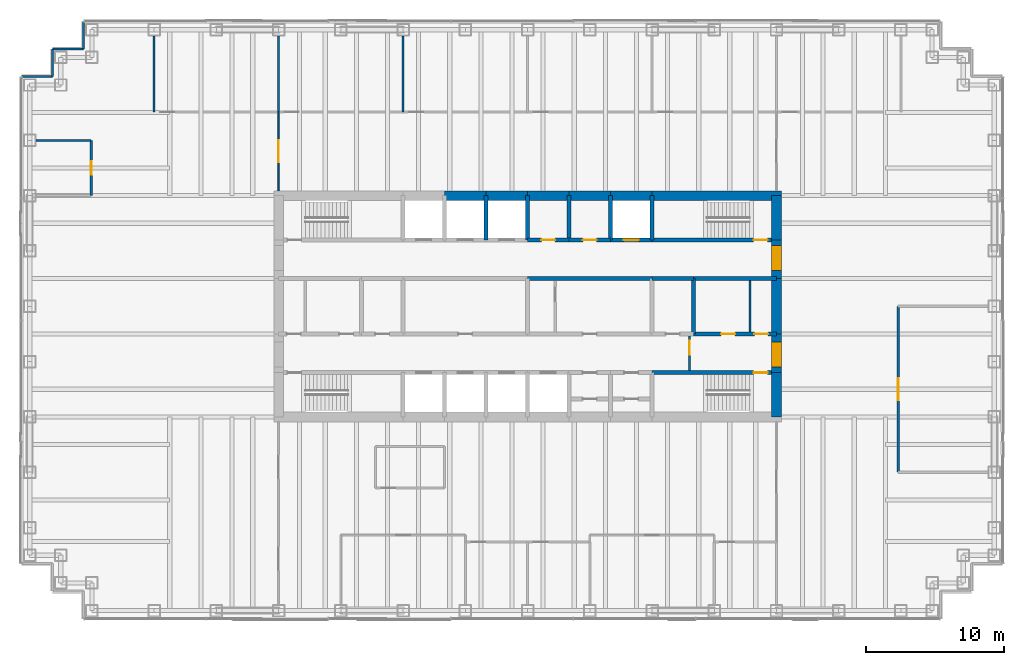
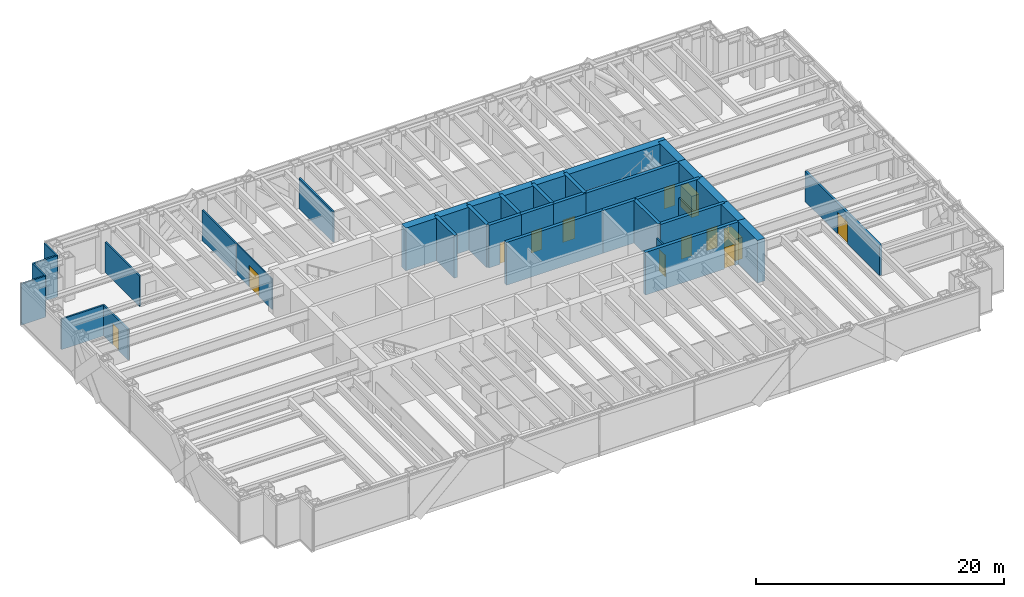
# One storey, part 15 of 17: 39 walls, 13 doors, 13 openings.
"""IFC4 building model written with IfcOpenShell, lengths in metres."""

from ifc_helpers import new_model, si_unit, direction, frame, frame_2d, origin, place, context, subcontext, project, spatial, rectangle, extrude, material, layer, layer_set, type_object, element, fill, save


model = new_model("IFC4")

# Units and contexts
model_context = context("Model", 3, precision=1e-05, world=origin(), true_north=direction((0.0, 1.0)))
body_context = subcontext(model_context, "Body", "Model", "MODEL_VIEW")
ifc_project = project(units=[si_unit("LENGTHUNIT", "METRE"), si_unit("AREAUNIT", "SQUARE_METRE"), si_unit("VOLUMEUNIT", "CUBIC_METRE"), si_unit("PLANEANGLEUNIT", "RADIAN"), si_unit("MASSUNIT", "GRAM", prefix="KILO")], contexts=[model_context])

# Site, building, storey
site_placement = place(None, origin())
site = spatial("IfcSite", under=ifc_project, at=site_placement, CompositionType="ELEMENT")
building_placement = place(site_placement, origin())
building = spatial("IfcBuilding", under=site, at=building_placement, Name="Rheinbord Bourse Tower", CompositionType="ELEMENT")
storey_placement = place(building_placement, frame((0.0, 0.0, 283.699951171875)))
storey = spatial("IfcBuildingStorey", under=building, at=storey_placement, Name="L64", CompositionType="ELEMENT", Elevation=283.699951171875)

# Wall, opening, door
ifc_material_1 = material(Name="Acoustic gypsum board partition", Category="gypsum board")
ifc_layer_1 = layer(ifc_material_1, 0.199951171875)
ifc_layer_set_1 = layer_set([ifc_layer_1], Name="ACOUSTIC PARTITION 200")
wall_type_1 = type_object("IfcWallType", Name="ACOUSTIC PARTITION 200", PredefinedType="PARTITIONING", material=ifc_layer_set_1)
wall_1_placement = place(storey_placement, frame((62.800048828125, 12.0, 0.0), z_axis=(0.0, 0.0, 1.0), x_axis=(0.0, 1.0, 0.0)))
wall_1 = element("IfcWall", 1, at=wall_1_placement, inside=storey, type_object=wall_type_1, Name="Partition L64-34", PredefinedType="PARTITIONING", context=body_context, shape_type="SweptSolid", body=[
    extrude(rectangle(XDim=12.0, YDim=0.199951171875, at=frame_2d((6.0, 0.0))), origin(), (0.0, 0.0, 1.0), 3.0),
])
opening_1_placement = place(wall_1_placement, frame((5.199951171875, 0.0, 0.0)))
opening_1 = element("IfcOpeningElement", 2, at=opening_1_placement, cuts=wall_1, Name="Opening 64D07", PredefinedType="OPENING", context=body_context, shape_type="SweptSolid", body=[
    extrude(rectangle(XDim=1.60009765625, YDim=2.10009765625, at=frame_2d((0.800048828125, 1.050048828125))), frame((0.0, 0.10986328125, 0.0), z_axis=(0.0, -1.0, 0.0), x_axis=(1.0, 0.0, 0.0)), (0.0, 0.0, 1.0), 0.219970703125),
])
ifc_material_2 = material(Name="Timber door", Category="wood")
door_type_1 = type_object("IfcDoorType", Name="DOUBLE ROOM DOOR 1600", OperationType="DOUBLE_DOOR_DOUBLE_SWING", PredefinedType="DOOR", material=ifc_material_2)
door_1_placement = place(opening_1_placement, origin())
door_1 = element("IfcDoor", 3, at=door_1_placement, inside=storey, type_object=door_type_1, Name="Conference room door L64", OperationType="SINGLE_SWING_LEFT", OverallHeight=2.10009765625, OverallWidth=1.60009765625, PredefinedType="DOOR", context=body_context, shape_type="SweptSolid", body=[
    extrude(rectangle(XDim=1.60009765625, YDim=2.10009765625, at=frame_2d((0.800048828125, 1.050048828125))), frame((0.0, 0.02490234375, 0.0), z_axis=(0.0, -1.0, 0.0), x_axis=(1.0, 0.0, 0.0)), (0.0, 0.0, 1.0), 0.050048828125),
])
fill(opening_1, door_1)

ifc_material_3 = material(Name="Concrete C50/60", Category="concrete")
ifc_layer_2 = layer(ifc_material_3, 0.300048828125)
ifc_layer_set_2 = layer_set([ifc_layer_2], Name="CORE INNER WALL 300")
wall_type_2 = type_object("IfcWallType", Name="CORE INNER WALL 300", PredefinedType="SOLIDWALL", material=ifc_layer_set_2)
wall_2_placement = place(storey_placement, frame((45.0, 19.199951171875, 0.0), z_axis=(0.0, 0.0, 1.0), x_axis=(1.0, 0.0, 0.0)))
wall_2 = element("IfcWall", 4, at=wall_2_placement, inside=storey, type_object=wall_type_2, Name="Core wall A8 L64", PredefinedType="SOLIDWALL", context=body_context, shape_type="SweptSolid", body=[
    extrude(rectangle(XDim=9.0, YDim=0.300048828125, at=frame_2d((4.5, 0.0))), origin(), (0.0, 0.0, 1.0), 4.199951171875),
])
opening_2_placement = place(wall_2_placement, frame((7.35009765625, 0.0, 0.0)))
opening_2 = element("IfcOpeningElement", 5, at=opening_2_placement, cuts=wall_2, Name="Opening 6430", PredefinedType="OPENING", context=body_context, shape_type="SweptSolid", body=[
    extrude(rectangle(XDim=1.0, YDim=2.10009765625, at=frame_2d((0.5, 1.050048828125))), frame((0.0, 0.159912109375, 0.0), z_axis=(0.0, -1.0, 0.0), x_axis=(1.0, 0.0, 0.0)), (0.0, 0.0, 1.0), 0.320068359375),
])
ifc_material_4 = material(Name="Steel door", Category="steel")
door_type_2 = type_object("IfcDoorType", Name="DOOR 1000 EI30", OperationType="SINGLE_SWING_LEFT", PredefinedType="DOOR", material=ifc_material_4)
door_2_placement = place(opening_2_placement, origin())
door_2 = element("IfcDoor", 6, at=door_2_placement, inside=storey, type_object=door_type_2, Name="Stair door ST3 L64", OperationType="SINGLE_SWING_RIGHT", OverallHeight=2.10009765625, OverallWidth=1.0, PredefinedType="DOOR", context=body_context, shape_type="SweptSolid", body=[
    extrude(rectangle(XDim=1.0, YDim=2.10009765625, at=frame_2d((0.5, 1.050048828125))), frame((0.0, 0.02490234375, 0.0), z_axis=(0.0, -1.0, 0.0), x_axis=(1.0, 0.0, 0.0)), (0.0, 0.0, 1.0), 0.050048828125),
])
fill(opening_2, door_2)

wall_3_placement = place(storey_placement, frame((36.0, 28.800048828125, 0.0), z_axis=(0.0, 0.0, 1.0), x_axis=(1.0, 0.0, 0.0)))
wall_3 = element("IfcWall", 7, at=wall_3_placement, inside=storey, type_object=wall_type_2, Name="Core wall B5 L64", PredefinedType="SOLIDWALL", context=body_context, shape_type="SweptSolid", body=[
    extrude(rectangle(XDim=3.0, YDim=0.300048828125, at=frame_2d((1.5, 0.0))), origin(), (0.0, 0.0, 1.0), 4.199951171875),
])
opening_3_placement = place(wall_3_placement, frame((1.0, 0.0, 0.0)))
opening_3 = element("IfcOpeningElement", 8, at=opening_3_placement, cuts=wall_3, Name="Opening 64R10", PredefinedType="OPENING", context=body_context, shape_type="SweptSolid", body=[
    extrude(rectangle(XDim=1.0, YDim=2.10009765625, at=frame_2d((0.5, 1.050048828125))), frame((0.0, 0.159912109375, 0.0), z_axis=(0.0, -1.0, 0.0), x_axis=(1.0, 0.0, 0.0)), (0.0, 0.0, 1.0), 0.320068359375),
])
door_3_placement = place(opening_3_placement, origin())
door_3 = element("IfcDoor", 9, at=door_3_placement, inside=storey, type_object=door_type_2, Name="Pantry door L64", OperationType="SINGLE_SWING_LEFT", OverallHeight=2.10009765625, OverallWidth=1.0, PredefinedType="DOOR", context=body_context, shape_type="SweptSolid", body=[
    extrude(rectangle(XDim=1.0, YDim=2.10009765625, at=frame_2d((0.5, 1.050048828125))), frame((0.0, 0.02490234375, 0.0), z_axis=(0.0, -1.0, 0.0), x_axis=(1.0, 0.0, 0.0)), (0.0, 0.0, 1.0), 0.050048828125),
])
fill(opening_3, door_3)

wall_4_placement = place(storey_placement, frame((39.0, 28.800048828125, 0.0), z_axis=(0.0, 0.0, 1.0), x_axis=(1.0, 0.0, 0.0)))
wall_4 = element("IfcWall", 10, at=wall_4_placement, inside=storey, type_object=wall_type_2, Name="Core wall B6 L64", PredefinedType="SOLIDWALL", context=body_context, shape_type="SweptSolid", body=[
    extrude(rectangle(XDim=3.0, YDim=0.300048828125, at=frame_2d((1.5, 0.0))), origin(), (0.0, 0.0, 1.0), 4.199951171875),
])
opening_4_placement = place(wall_4_placement, frame((1.0, 0.0, 0.0)))
opening_4 = element("IfcOpeningElement", 11, at=opening_4_placement, cuts=wall_4, Name="Opening 64R11", PredefinedType="OPENING", context=body_context, shape_type="SweptSolid", body=[
    extrude(rectangle(XDim=1.0, YDim=2.10009765625, at=frame_2d((0.5, 1.050048828125))), frame((0.0, 0.159912109375, 0.0), z_axis=(0.0, -1.0, 0.0), x_axis=(1.0, 0.0, 0.0)), (0.0, 0.0, 1.0), 0.320068359375),
])
door_4_placement = place(opening_4_placement, origin())
door_4 = element("IfcDoor", 12, at=door_4_placement, inside=storey, type_object=door_type_2, Name="Archive store door L64", OperationType="SINGLE_SWING_LEFT", OverallHeight=2.10009765625, OverallWidth=1.0, PredefinedType="DOOR", context=body_context, shape_type="SweptSolid", body=[
    extrude(rectangle(XDim=1.0, YDim=2.10009765625, at=frame_2d((0.5, 1.050048828125))), frame((0.0, 0.02490234375, 0.0), z_axis=(0.0, -1.0, 0.0), x_axis=(1.0, 0.0, 0.0)), (0.0, 0.0, 1.0), 0.050048828125),
])
fill(opening_4, door_4)

wall_5_placement = place(storey_placement, frame((42.0, 28.800048828125, 0.0), z_axis=(0.0, 0.0, 1.0), x_axis=(1.0, 0.0, 0.0)))
wall_5 = element("IfcWall", 13, at=wall_5_placement, inside=storey, type_object=wall_type_2, Name="Core wall B7 L64", PredefinedType="SOLIDWALL", context=body_context, shape_type="SweptSolid", body=[
    extrude(rectangle(XDim=3.0, YDim=0.300048828125, at=frame_2d((1.5, 0.0))), origin(), (0.0, 0.0, 1.0), 4.199951171875),
])
opening_5_placement = place(wall_5_placement, frame((0.949951171875, 0.0, 0.0)))
opening_5 = element("IfcOpeningElement", 14, at=opening_5_placement, cuts=wall_5, Name="Opening FL2", PredefinedType="OPENING", context=body_context, shape_type="SweptSolid", body=[
    extrude(rectangle(XDim=1.10009765625, YDim=2.199951171875, at=frame_2d((0.550048828125, 1.10009765625))), frame((0.0, 0.159912109375, 0.0), z_axis=(0.0, -1.0, 0.0), x_axis=(1.0, 0.0, 0.0)), (0.0, 0.0, 1.0), 0.320068359375),
])
ifc_material_5 = material(Name="Steel landing door", Category="steel")
door_type_3 = type_object("IfcDoorType", Name="LIFT LANDING DOOR 1100", OperationType="DOUBLE_DOOR_SLIDING", PredefinedType="USERDEFINED", material=ifc_material_5)
door_5_placement = place(opening_5_placement, origin())
door_5 = element("IfcDoor", 15, at=door_5_placement, inside=storey, type_object=door_type_3, Name="Lift landing door FL2 L64", ObjectType="LIFT LANDING DOOR", OperationType="DOUBLE_DOOR_SLIDING", OverallHeight=2.199951171875, OverallWidth=1.10009765625, PredefinedType="USERDEFINED", context=body_context, shape_type="SweptSolid", body=[
    extrude(rectangle(XDim=1.10009765625, YDim=2.199951171875, at=frame_2d((0.550048828125, 1.10009765625))), frame((0.0, 0.02490234375, 0.0), z_axis=(0.0, -1.0, 0.0), x_axis=(1.0, 0.0, 0.0)), (0.0, 0.0, 1.0), 0.050048828125),
])
fill(opening_5, door_5)

wall_6_placement = place(storey_placement, frame((45.0, 28.800048828125, 0.0), z_axis=(0.0, 0.0, 1.0), x_axis=(1.0, 0.0, 0.0)))
wall_6 = element("IfcWall", 16, at=wall_6_placement, inside=storey, type_object=wall_type_2, Name="Core wall B8 L64", PredefinedType="SOLIDWALL", context=body_context, shape_type="SweptSolid", body=[
    extrude(rectangle(XDim=9.0, YDim=0.300048828125, at=frame_2d((4.5, 0.0))), origin(), (0.0, 0.0, 1.0), 4.199951171875),
])
opening_6_placement = place(wall_6_placement, frame((7.35009765625, 0.0, 0.0)))
opening_6 = element("IfcOpeningElement", 17, at=opening_6_placement, cuts=wall_6, Name="Opening 6440", PredefinedType="OPENING", context=body_context, shape_type="SweptSolid", body=[
    extrude(rectangle(XDim=1.0, YDim=2.10009765625, at=frame_2d((0.5, 1.050048828125))), frame((0.0, 0.159912109375, 0.0), z_axis=(0.0, -1.0, 0.0), x_axis=(1.0, 0.0, 0.0)), (0.0, 0.0, 1.0), 0.320068359375),
])
door_6_placement = place(opening_6_placement, origin())
door_6 = element("IfcDoor", 18, at=door_6_placement, inside=storey, type_object=door_type_2, Name="Stair door ST4 L64", OperationType="SINGLE_SWING_RIGHT", OverallHeight=2.10009765625, OverallWidth=1.0, PredefinedType="DOOR", context=body_context, shape_type="SweptSolid", body=[
    extrude(rectangle(XDim=1.0, YDim=2.10009765625, at=frame_2d((0.5, 1.050048828125))), frame((0.0, 0.02490234375, 0.0), z_axis=(0.0, -1.0, 0.0), x_axis=(1.0, 0.0, 0.0)), (0.0, 0.0, 1.0), 0.050048828125),
])
fill(opening_6, door_6)

# Wall, openings, doors
wall_7_placement = place(storey_placement, frame((48.0, 22.0, 0.0), z_axis=(0.0, 0.0, 1.0), x_axis=(1.0, 0.0, 0.0)))
wall_7 = element("IfcWall", 19, at=wall_7_placement, inside=storey, type_object=wall_type_2, Name="Core wall C6 L64", PredefinedType="SOLIDWALL", context=body_context, shape_type="SweptSolid", body=[
    extrude(rectangle(XDim=6.0, YDim=0.300048828125, at=frame_2d((3.0, 0.0))), origin(), (0.0, 0.0, 1.0), 4.199951171875),
])
opening_7_placement = place(wall_7_placement, frame((2.0, 0.0, 0.0)))
opening_7 = element("IfcOpeningElement", 20, at=opening_7_placement, cuts=wall_7, Name="Opening 64R6", PredefinedType="OPENING", context=body_context, shape_type="SweptSolid", body=[
    extrude(rectangle(XDim=1.0, YDim=2.10009765625, at=frame_2d((0.5, 1.050048828125))), frame((0.0, 0.159912109375, 0.0), z_axis=(0.0, -1.0, 0.0), x_axis=(1.0, 0.0, 0.0)), (0.0, 0.0, 1.0), 0.320068359375),
])
opening_8_placement = place(wall_7_placement, frame((4.39990234375, 0.0, 0.0)))
opening_8 = element("IfcOpeningElement", 21, at=opening_8_placement, cuts=wall_7, Name="Opening 64R10", PredefinedType="OPENING", context=body_context, shape_type="SweptSolid", body=[
    extrude(rectangle(XDim=1.0, YDim=2.10009765625, at=frame_2d((0.5, 1.050048828125))), frame((0.0, 0.159912109375, 0.0), z_axis=(0.0, -1.0, 0.0), x_axis=(1.0, 0.0, 0.0)), (0.0, 0.0, 1.0), 0.320068359375),
])
door_7_placement = place(opening_8_placement, origin())
door_7 = element("IfcDoor", 22, at=door_7_placement, inside=storey, type_object=door_type_2, Name="Baby change door L64", OperationType="SINGLE_SWING_RIGHT", OverallHeight=2.10009765625, OverallWidth=1.0, PredefinedType="DOOR", context=body_context, shape_type="SweptSolid", body=[
    extrude(rectangle(XDim=1.0, YDim=2.10009765625, at=frame_2d((0.5, 1.050048828125))), frame((0.0, 0.02490234375, 0.0), z_axis=(0.0, -1.0, 0.0), x_axis=(1.0, 0.0, 0.0)), (0.0, 0.0, 1.0), 0.050048828125),
])
fill(opening_8, door_7)
ifc_material_6 = material(Name="Timber door", Category="wood")
door_type_4 = type_object("IfcDoorType", Name="DOOR 1000 WC", OperationType="SINGLE_SWING_LEFT", PredefinedType="DOOR", material=ifc_material_6)
door_8_placement = place(opening_7_placement, origin())
door_8 = element("IfcDoor", 23, at=door_8_placement, inside=storey, type_object=door_type_4, Name="WC women door L64", OperationType="SINGLE_SWING_LEFT", OverallHeight=2.10009765625, OverallWidth=1.0, PredefinedType="DOOR", context=body_context, shape_type="SweptSolid", body=[
    extrude(rectangle(XDim=1.0, YDim=2.10009765625, at=frame_2d((0.5, 1.050048828125))), frame((0.0, 0.02490234375, 0.0), z_axis=(0.0, -1.0, 0.0), x_axis=(1.0, 0.0, 0.0)), (0.0, 0.0, 1.0), 0.050048828125),
])
fill(opening_7, door_8)

# Walls
wall_8_placement = place(storey_placement, frame((36.0, 26.0, 0.0), z_axis=(0.0, 0.0, 1.0), x_axis=(1.0, 0.0, 0.0)))
element("IfcWall", 24, at=wall_8_placement, inside=storey, type_object=wall_type_2, Name="Core wall D4 L64", PredefinedType="SOLIDWALL", context=body_context, shape_type="SweptSolid", body=[
    extrude(rectangle(XDim=9.0, YDim=0.300048828125, at=frame_2d((4.5, 0.0))), origin(), (0.0, 0.0, 1.0), 4.199951171875),
])
wall_9_placement = place(storey_placement, frame((45.0, 26.0, 0.0), z_axis=(0.0, 0.0, 1.0), x_axis=(1.0, 0.0, 0.0)))
element("IfcWall", 25, at=wall_9_placement, inside=storey, type_object=wall_type_2, Name="Core wall D5 L64", PredefinedType="SOLIDWALL", context=body_context, shape_type="SweptSolid", body=[
    extrude(rectangle(XDim=3.0, YDim=0.300048828125, at=frame_2d((1.5, 0.0))), origin(), (0.0, 0.0, 1.0), 4.199951171875),
])
wall_10_placement = place(storey_placement, frame((48.0, 26.0, 0.0), z_axis=(0.0, 0.0, 1.0), x_axis=(1.0, 0.0, 0.0)))
element("IfcWall", 26, at=wall_10_placement, inside=storey, type_object=wall_type_2, Name="Core wall D6 L64", PredefinedType="SOLIDWALL", context=body_context, shape_type="SweptSolid", body=[
    extrude(rectangle(XDim=6.0, YDim=0.300048828125, at=frame_2d((3.0, 0.0))), origin(), (0.0, 0.0, 1.0), 4.199951171875),
])
for number, where, z_axis, x_axis, name in (
    (27, (33.0, 28.800048828125, 0.0), (0.0, 0.0, 1.0), (0.0, 1.0, 0.0), "Core wall NX33 L64"),
    (28, (36.0, 28.800048828125, 0.0), (0.0, 0.0, 1.0), (0.0, 1.0, 0.0), "Core wall NX36 L64"),
    (29, (39.0, 28.800048828125, 0.0), (0.0, 0.0, 1.0), (0.0, 1.0, 0.0), "Core wall NX39 L64"),
    (30, (42.0, 28.800048828125, 0.0), (0.0, 0.0, 1.0), (0.0, 1.0, 0.0), "Core wall NX42 L64"),
    (31, (45.0, 28.800048828125, 0.0), (0.0, 0.0, 1.0), (0.0, 1.0, 0.0), "Core wall NX45 L64"),
):
    element("IfcWall", number, at=place(storey_placement, frame(where, z_axis=z_axis, x_axis=x_axis)), inside=storey, type_object=wall_type_2, Name=name, PredefinedType="SOLIDWALL", context=body_context, shape_type="SweptSolid", body=[
        extrude(rectangle(XDim=3.199951171875, YDim=0.300048828125, at=frame_2d((1.60009765625, 0.0))), origin(), (0.0, 0.0, 1.0), 4.199951171875),
    ])
wall_11_placement = place(storey_placement, frame((48.0, 22.0, 0.0), z_axis=(0.0, 0.0, 1.0), x_axis=(0.0, 1.0, 0.0)))
element("IfcWall", 32, at=wall_11_placement, inside=storey, type_object=wall_type_2, Name="Core wall MX48 L64", PredefinedType="SOLIDWALL", context=body_context, shape_type="SweptSolid", body=[
    extrude(rectangle(XDim=4.0, YDim=0.300048828125, at=frame_2d((2.0, 0.0))), origin(), (0.0, 0.0, 1.0), 4.199951171875),
])
ifc_material_7 = material(Name="Gypsum board fire partition", Category="gypsum board")
ifc_layer_3 = layer(ifc_material_7, 0.14990234375)
ifc_layer_set_3 = layer_set([ifc_layer_3], Name="CORE PARTITION 150 EI30")
wall_type_3 = type_object("IfcWallType", Name="CORE PARTITION 150 EI30", PredefinedType="PARTITIONING", material=ifc_layer_set_3)
wall_12_placement = place(storey_placement, frame((52.074951171875, 22.14990234375, 0.0), z_axis=(0.0, 0.0, 1.0), x_axis=(0.0, 1.0, 0.0)))
element("IfcWall", 33, at=wall_12_placement, inside=storey, type_object=wall_type_3, Name="Core partition L64-3", PredefinedType="PARTITIONING", context=body_context, shape_type="SweptSolid", body=[
    extrude(rectangle(XDim=3.7001953125, YDim=0.14990234375, at=frame_2d((1.85009765625, 0.0))), origin(), (0.0, 0.0, 1.0), 3.0),
])

# Wall, opening, door
wall_13_placement = place(storey_placement, frame((47.699951171875, 19.35009765625, 0.0), z_axis=(0.0, 0.0, 1.0), x_axis=(0.0, 1.0, 0.0)))
wall_13 = element("IfcWall", 34, at=wall_13_placement, inside=storey, type_object=wall_type_3, Name="Core partition L64-4", PredefinedType="PARTITIONING", context=body_context, shape_type="SweptSolid", body=[
    extrude(rectangle(XDim=2.5, YDim=0.14990234375, at=frame_2d((1.25, 0.0))), origin(), (0.0, 0.0, 1.0), 3.0),
])
opening_9_placement = place(wall_13_placement, frame((1.14990234375, 0.0, 0.0)))
opening_9 = element("IfcOpeningElement", 35, at=opening_9_placement, cuts=wall_13, Name="Opening 64L5", PredefinedType="OPENING", context=body_context, shape_type="SweptSolid", body=[
    extrude(rectangle(XDim=1.0, YDim=2.10009765625, at=frame_2d((0.5, 1.050048828125))), frame((0.0, 0.0849609375, 0.0), z_axis=(0.0, -1.0, 0.0), x_axis=(1.0, 0.0, 0.0)), (0.0, 0.0, 1.0), 0.169921875),
])
door_9_placement = place(opening_9_placement, origin())
door_9 = element("IfcDoor", 36, at=door_9_placement, inside=storey, type_object=door_type_2, Name="Stair lobby door L64", OperationType="SINGLE_SWING_RIGHT", OverallHeight=2.10009765625, OverallWidth=1.0, PredefinedType="DOOR", context=body_context, shape_type="SweptSolid", body=[
    extrude(rectangle(XDim=1.0, YDim=2.10009765625, at=frame_2d((0.5, 1.050048828125))), frame((0.0, 0.02490234375, 0.0), z_axis=(0.0, -1.0, 0.0), x_axis=(1.0, 0.0, 0.0)), (0.0, 0.0, 1.0), 0.050048828125),
])
fill(opening_9, door_9)

# Walls
ifc_material_8 = material(Name="Concrete C50/60", Category="concrete")
ifc_layer_4 = layer(ifc_material_8, 0.699951171875)
ifc_layer_set_4 = layer_set([ifc_layer_4], Name="CORE WALL 700")
wall_type_4 = type_object("IfcWallType", Name="CORE WALL 700", PredefinedType="SHEAR", material=ifc_layer_set_4)
wall_14_placement = place(storey_placement, frame((54.35009765625, 32.0, 0.0), z_axis=(0.0, 0.0, 1.0), x_axis=(-1.0, 0.0, 0.0)))
element("IfcWall", 37, at=wall_14_placement, inside=storey, type_object=wall_type_4, Name="Core wall N1 L64", PredefinedType="SHEAR", context=body_context, shape_type="SweptSolid", body=[
    extrude(rectangle(XDim=9.35009765625, YDim=0.699951171875, at=frame_2d((4.675048828125, 0.0))), origin(), (0.0, 0.0, 1.0), 4.199951171875),
])
for number, where, z_axis, x_axis, name in (
    (38, (45.0, 32.0, 0.0), (0.0, 0.0, 1.0), (-1.0, 0.0, 0.0), "Core wall N2 L64"),
    (39, (42.0, 32.0, 0.0), (0.0, 0.0, 1.0), (-1.0, 0.0, 0.0), "Core wall N3 L64"),
    (40, (39.0, 32.0, 0.0), (0.0, 0.0, 1.0), (-1.0, 0.0, 0.0), "Core wall N4 L64"),
    (41, (36.0, 32.0, 0.0), (0.0, 0.0, 1.0), (-1.0, 0.0, 0.0), "Core wall N5 L64"),
    (42, (33.0, 32.0, 0.0), (0.0, 0.0, 1.0), (-1.0, 0.0, 0.0), "Core wall N6 L64"),
):
    element("IfcWall", number, at=place(storey_placement, frame(where, z_axis=z_axis, x_axis=x_axis)), inside=storey, type_object=wall_type_4, Name=name, PredefinedType="SHEAR", context=body_context, shape_type="SweptSolid", body=[
        extrude(rectangle(XDim=3.0, YDim=0.699951171875, at=frame_2d((1.5, 0.0))), origin(), (0.0, 0.0, 1.0), 4.199951171875),
    ])
wall_15_placement = place(storey_placement, frame((54.0, 16.0, 0.0), z_axis=(0.0, 0.0, 1.0), x_axis=(0.0, 1.0, 0.0)))
element("IfcWall", 43, at=wall_15_placement, inside=storey, type_object=wall_type_4, Name="Core wall E1 L64", PredefinedType="SHEAR", context=body_context, shape_type="SweptSolid", body=[
    extrude(rectangle(XDim=3.199951171875, YDim=0.699951171875, at=frame_2d((1.60009765625, 0.0))), origin(), (0.0, 0.0, 1.0), 4.199951171875),
])

# Wall, opening, door
wall_16_placement = place(storey_placement, frame((54.0, 19.199951171875, 0.0), z_axis=(0.0, 0.0, 1.0), x_axis=(0.0, 1.0, 0.0)))
wall_16 = element("IfcWall", 44, at=wall_16_placement, inside=storey, type_object=wall_type_4, Name="Core wall E2 L64", PredefinedType="SHEAR", context=body_context, shape_type="SweptSolid", body=[
    extrude(rectangle(XDim=2.800048828125, YDim=0.699951171875, at=frame_2d((1.39990234375, 0.0))), origin(), (0.0, 0.0, 1.0), 4.199951171875),
])
opening_10_placement = place(wall_16_placement, frame((0.39990234375, 0.0, 0.0)))
opening_10 = element("IfcOpeningElement", 45, at=opening_10_placement, cuts=wall_16, Name="Opening 64L3", PredefinedType="OPENING", context=body_context, shape_type="SweptSolid", body=[
    extrude(rectangle(XDim=1.800048828125, YDim=2.10009765625, at=frame_2d((0.89990234375, 1.050048828125))), frame((0.0, 0.35986328125, 0.0), z_axis=(0.0, -1.0, 0.0), x_axis=(1.0, 0.0, 0.0)), (0.0, 0.0, 1.0), 0.719970703125),
])
ifc_material_9 = material(Name="Steel door", Category="steel")
door_type_5 = type_object("IfcDoorType", Name="DOOR 1800 EI30 DOUBLE", OperationType="DOUBLE_DOOR_DOUBLE_SWING", PredefinedType="DOOR", material=ifc_material_9)
door_10_placement = place(opening_10_placement, origin())
door_10 = element("IfcDoor", 46, at=door_10_placement, inside=storey, type_object=door_type_5, Name="Lobby door 3 L64", OperationType="SINGLE_SWING_LEFT", OverallHeight=2.10009765625, OverallWidth=1.800048828125, PredefinedType="DOOR", context=body_context, shape_type="SweptSolid", body=[
    extrude(rectangle(XDim=1.800048828125, YDim=2.10009765625, at=frame_2d((0.89990234375, 1.050048828125))), frame((0.0, 0.349609375, 0.0), z_axis=(0.0, -1.0, 0.0), x_axis=(1.0, 0.0, 0.0)), (0.0, 0.0, 1.0), 0.699462890625),
])
fill(opening_10, door_10)

# Wall
wall_17_placement = place(storey_placement, frame((54.0, 22.0, 0.0), z_axis=(0.0, 0.0, 1.0), x_axis=(0.0, 1.0, 0.0)))
element("IfcWall", 47, at=wall_17_placement, inside=storey, type_object=wall_type_4, Name="Core wall E3 L64", PredefinedType="SHEAR", context=body_context, shape_type="SweptSolid", body=[
    extrude(rectangle(XDim=4.0, YDim=0.699951171875, at=frame_2d((2.0, 0.0))), origin(), (0.0, 0.0, 1.0), 4.199951171875),
])

# Wall, opening, door
wall_18_placement = place(storey_placement, frame((54.0, 26.0, 0.0), z_axis=(0.0, 0.0, 1.0), x_axis=(0.0, 1.0, 0.0)))
wall_18 = element("IfcWall", 48, at=wall_18_placement, inside=storey, type_object=wall_type_4, Name="Core wall E4 L64", PredefinedType="SHEAR", context=body_context, shape_type="SweptSolid", body=[
    extrude(rectangle(XDim=2.800048828125, YDim=0.699951171875, at=frame_2d((1.39990234375, 0.0))), origin(), (0.0, 0.0, 1.0), 4.199951171875),
])
opening_11_placement = place(wall_18_placement, frame((0.60009765625, 0.0, 0.0)))
opening_11 = element("IfcOpeningElement", 49, at=opening_11_placement, cuts=wall_18, Name="Opening 64L4", PredefinedType="OPENING", context=body_context, shape_type="SweptSolid", body=[
    extrude(rectangle(XDim=1.800048828125, YDim=2.10009765625, at=frame_2d((0.89990234375, 1.050048828125))), frame((0.0, 0.35986328125, 0.0), z_axis=(0.0, -1.0, 0.0), x_axis=(1.0, 0.0, 0.0)), (0.0, 0.0, 1.0), 0.719970703125),
])
door_11_placement = place(opening_11_placement, origin())
door_11 = element("IfcDoor", 50, at=door_11_placement, inside=storey, type_object=door_type_5, Name="Lobby door 4 L64", OperationType="SINGLE_SWING_LEFT", OverallHeight=2.10009765625, OverallWidth=1.800048828125, PredefinedType="DOOR", context=body_context, shape_type="SweptSolid", body=[
    extrude(rectangle(XDim=1.800048828125, YDim=2.10009765625, at=frame_2d((0.89990234375, 1.050048828125))), frame((0.0, 0.349609375, 0.0), z_axis=(0.0, -1.0, 0.0), x_axis=(1.0, 0.0, 0.0)), (0.0, 0.0, 1.0), 0.699462890625),
])
fill(opening_11, door_11)

# Walls
wall_19_placement = place(storey_placement, frame((54.0, 28.800048828125, 0.0), z_axis=(0.0, 0.0, 1.0), x_axis=(0.0, 1.0, 0.0)))
element("IfcWall", 51, at=wall_19_placement, inside=storey, type_object=wall_type_4, Name="Core wall E5 L64", PredefinedType="SHEAR", context=body_context, shape_type="SweptSolid", body=[
    extrude(rectangle(XDim=3.199951171875, YDim=0.699951171875, at=frame_2d((1.60009765625, 0.0))), origin(), (0.0, 0.0, 1.0), 4.199951171875),
])
ifc_material_10 = material(Name="Black metal rainscreen panel", Category="aluminium")
ifc_layer_5 = layer(ifc_material_10, 0.14990234375)
ifc_layer_set_5 = layer_set([ifc_layer_5], Name="CORNER PIER CLADDING 150")
wall_type_5 = type_object("IfcWallType", Name="CORNER PIER CLADDING 150", PredefinedType="ELEMENTEDWALL", material=ifc_layer_set_5)
wall_20_placement = place(storey_placement, frame((3.89990234375, 44.60009765625, 0.0), z_axis=(0.0, 0.0, 1.0), x_axis=(0.0, -1.0, 0.0)))
element("IfcWall", 52, at=wall_20_placement, inside=storey, type_object=wall_type_5, Name="Corner pier cladding L64 12", PredefinedType="ELEMENTEDWALL", context=body_context, shape_type="SweptSolid", body=[
    extrude(rectangle(XDim=2.0, YDim=0.14990234375, at=frame_2d((1.0, 0.0))), origin(), (0.0, 0.0, 1.0), 4.0400390625),
])
wall_21_placement = place(storey_placement, frame((3.89990234375, 42.60009765625, 0.0), z_axis=(0.0, 0.0, 1.0), x_axis=(-1.0, 0.0, 0.0)))
element("IfcWall", 53, at=wall_21_placement, inside=storey, type_object=wall_type_5, Name="Corner pier cladding L64 13", PredefinedType="ELEMENTEDWALL", context=body_context, shape_type="SweptSolid", body=[
    extrude(rectangle(XDim=2.25, YDim=0.14990234375, at=frame_2d((1.125, 0.0))), origin(), (0.0, 0.0, 1.0), 4.0400390625),
])
wall_22_placement = place(storey_placement, frame((1.64990234375, 42.60009765625, 0.0), z_axis=(0.0, 0.0, 1.0), x_axis=(0.0, -1.0, 0.0)))
element("IfcWall", 54, at=wall_22_placement, inside=storey, type_object=wall_type_5, Name="Corner pier cladding L64 14", PredefinedType="ELEMENTEDWALL", context=body_context, shape_type="SweptSolid", body=[
    extrude(rectangle(XDim=2.0, YDim=0.14990234375, at=frame_2d((1.0, 0.0))), origin(), (0.0, 0.0, 1.0), 4.0400390625),
])
wall_23_placement = place(storey_placement, frame((1.64990234375, 40.60009765625, 0.0), z_axis=(0.0, 0.0, 1.0), x_axis=(-1.0, 0.0, 0.0)))
element("IfcWall", 55, at=wall_23_placement, inside=storey, type_object=wall_type_5, Name="Corner pier cladding L64 15", PredefinedType="ELEMENTEDWALL", context=body_context, shape_type="SweptSolid", body=[
    extrude(rectangle(XDim=2.25, YDim=0.14990234375, at=frame_2d((1.125, 0.0))), origin(), (0.0, 0.0, 1.0), 4.0400390625),
])

# Wall, opening, door
ifc_material_11 = material(Name="Toughened laminated glass partition", Category="glass")
ifc_layer_6 = layer(ifc_material_11, 0.10009765625)
ifc_layer_set_6 = layer_set([ifc_layer_6], Name="GLAZED PARTITION 100")
wall_type_6 = type_object("IfcWallType", Name="GLAZED PARTITION 100", PredefinedType="PARTITIONING", material=ifc_layer_set_6)
wall_24_placement = place(storey_placement, frame((18.0, 32.35009765625, 0.0), z_axis=(0.0, 0.0, 1.0), x_axis=(0.0, 1.0, 0.0)))
wall_24 = element("IfcWall", 56, at=wall_24_placement, inside=storey, type_object=wall_type_6, Name="Partition L64-15", PredefinedType="PARTITIONING", context=body_context, shape_type="SweptSolid", body=[
    extrude(rectangle(XDim=5.699951171875, YDim=0.10009765625, at=frame_2d((2.85009765625, 0.0))), origin(), (0.0, 0.0, 1.0), 3.0),
])
opening_12_placement = place(wall_24_placement, frame((2.050048828125, 0.0, 0.0)))
opening_12 = element("IfcOpeningElement", 57, at=opening_12_placement, cuts=wall_24, Name="Opening 64D17", PredefinedType="OPENING", context=body_context, shape_type="SweptSolid", body=[
    extrude(rectangle(XDim=1.60009765625, YDim=2.10009765625, at=frame_2d((0.800048828125, 1.050048828125))), frame((0.0, 0.06005859375, 0.0), z_axis=(0.0, -1.0, 0.0), x_axis=(1.0, 0.0, 0.0)), (0.0, 0.0, 1.0), 0.1201171875),
])
door_12_placement = place(opening_12_placement, origin())
door_12 = element("IfcDoor", 58, at=door_12_placement, inside=storey, type_object=door_type_1, Name="Open area door L64", OperationType="SINGLE_SWING_LEFT", OverallHeight=2.10009765625, OverallWidth=1.60009765625, PredefinedType="DOOR", context=body_context, shape_type="SweptSolid", body=[
    extrude(rectangle(XDim=1.60009765625, YDim=2.10009765625, at=frame_2d((0.800048828125, 1.050048828125))), frame((0.0, 0.02490234375, 0.0), z_axis=(0.0, -1.0, 0.0), x_axis=(1.0, 0.0, 0.0)), (0.0, 0.0, 1.0), 0.050048828125),
])
fill(opening_12, door_12)

# Wall
ifc_material_12 = material(Name="Gypsum board partition", Category="gypsum board")
ifc_layer_7 = layer(ifc_material_12, 0.14990234375)
ifc_layer_set_7 = layer_set([ifc_layer_7], Name="PARTITION 150")
wall_type_7 = type_object("IfcWallType", Name="PARTITION 150", PredefinedType="PARTITIONING", material=ifc_layer_set_7)
wall_25_placement = place(storey_placement, frame((0.449951171875, 36.0, 0.0), z_axis=(0.0, 0.0, 1.0), x_axis=(1.0, 0.0, 0.0)))
element("IfcWall", 59, at=wall_25_placement, inside=storey, type_object=wall_type_7, Name="Partition L64-10", PredefinedType="PARTITIONING", context=body_context, shape_type="SweptSolid", body=[
    extrude(rectangle(XDim=4.0, YDim=0.14990234375, at=frame_2d((2.0, 0.0))), origin(), (0.0, 0.0, 1.0), 3.0),
])

# Wall, opening, door
wall_26_placement = place(storey_placement, frame((4.449951171875, 32.0, 0.0), z_axis=(0.0, 0.0, 1.0), x_axis=(0.0, 1.0, 0.0)))
wall_26 = element("IfcWall", 60, at=wall_26_placement, inside=storey, type_object=wall_type_7, Name="Partition L64-12", PredefinedType="PARTITIONING", context=body_context, shape_type="SweptSolid", body=[
    extrude(rectangle(XDim=4.0, YDim=0.14990234375, at=frame_2d((2.0, 0.0))), origin(), (0.0, 0.0, 1.0), 3.0),
])
opening_13_placement = place(wall_26_placement, frame((1.5, 0.0, 0.0)))
opening_13 = element("IfcOpeningElement", 61, at=opening_13_placement, cuts=wall_26, Name="Opening 64D08", PredefinedType="OPENING", context=body_context, shape_type="SweptSolid", body=[
    extrude(rectangle(XDim=1.0, YDim=2.10009765625, at=frame_2d((0.5, 1.050048828125))), frame((0.0, 0.0849609375, 0.0), z_axis=(0.0, -1.0, 0.0), x_axis=(1.0, 0.0, 0.0)), (0.0, 0.0, 1.0), 0.169921875),
])
ifc_material_13 = material(Name="Timber door", Category="wood")
door_type_6 = type_object("IfcDoorType", Name="ROOM DOOR 1000", OperationType="SINGLE_SWING_LEFT", PredefinedType="DOOR", material=ifc_material_13)
door_13_placement = place(opening_13_placement, origin())
door_13 = element("IfcDoor", 62, at=door_13_placement, inside=storey, type_object=door_type_6, Name="Store door L64", OperationType="SINGLE_SWING_LEFT", OverallHeight=2.10009765625, OverallWidth=1.0, PredefinedType="DOOR", context=body_context, shape_type="SweptSolid", body=[
    extrude(rectangle(XDim=1.0, YDim=2.10009765625, at=frame_2d((0.5, 1.050048828125))), frame((0.0, 0.02490234375, 0.0), z_axis=(0.0, -1.0, 0.0), x_axis=(1.0, 0.0, 0.0)), (0.0, 0.0, 1.0), 0.050048828125),
])
fill(opening_13, door_13)

# Walls
for number, where, z_axis, x_axis, name in (
    (63, (9.0, 38.050048828125, 0.0), (0.0, 0.0, 1.0), (0.0, 1.0, 0.0), "Partition L64-13"),
    (64, (18.0, 38.050048828125, 0.0), (0.0, 0.0, 1.0), (0.0, 1.0, 0.0), "Partition L64-16"),
    (65, (27.0, 38.050048828125, 0.0), (0.0, 0.0, 1.0), (0.0, 1.0, 0.0), "Partition L64-19"),
):
    element("IfcWall", number, at=place(storey_placement, frame(where, z_axis=z_axis, x_axis=x_axis)), inside=storey, type_object=wall_type_7, Name=name, PredefinedType="PARTITIONING", context=body_context, shape_type="SweptSolid", body=[
        extrude(rectangle(XDim=5.5, YDim=0.14990234375, at=frame_2d((2.75, 0.0))), origin(), (0.0, 0.0, 1.0), 3.0),
    ])

save(model, "model.ifc")
